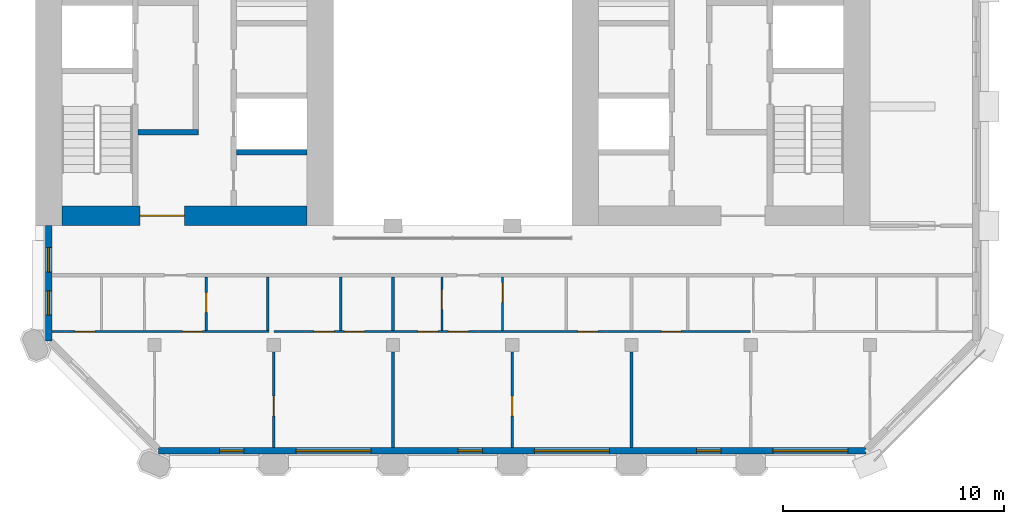
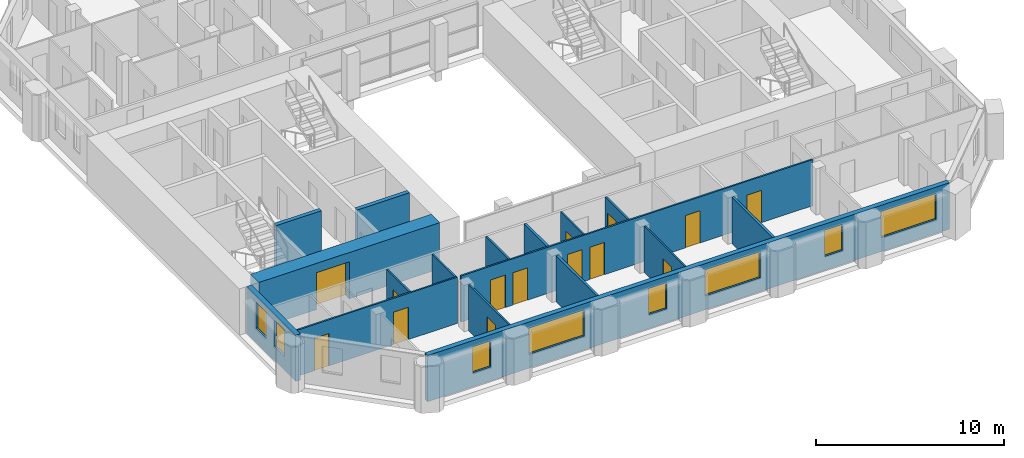
# One storey, part 4 of 13: 17 walls, 14 doors, 8 windows, 22 openings.
"""IFC4 building model written with IfcOpenShell, lengths in metres."""

from ifc_helpers import new_model, si_unit, direction, frame, frame_2d, origin, place, context, subcontext, project, spatial, rectangle, extrude, material, layer, layer_set, type_object, element, fill, save


model = new_model("IFC4")

# Units and contexts
model_context = context("Model", 3, precision=1e-05, world=origin(), true_north=direction((0.0, 1.0)))
body_context = subcontext(model_context, "Body", "Model", "MODEL_VIEW")
ifc_project = project(units=[si_unit("LENGTHUNIT", "METRE"), si_unit("AREAUNIT", "SQUARE_METRE"), si_unit("VOLUMEUNIT", "CUBIC_METRE"), si_unit("PLANEANGLEUNIT", "RADIAN"), si_unit("MASSUNIT", "GRAM", prefix="KILO")], contexts=[model_context])

# Site, building, storey
site_placement = place(None, origin())
site = spatial("IfcSite", under=ifc_project, at=site_placement, CompositionType="ELEMENT")
building_placement = place(site_placement, origin())
building = spatial("IfcBuilding", under=site, at=building_placement, Name="Tabaq Tower and Sports Hall", CompositionType="ELEMENT")
storey_placement = place(building_placement, frame((0.0, 0.0, 291.699951171875)))
storey = spatial("IfcBuildingStorey", under=building, at=storey_placement, Name="L72", CompositionType="ELEMENT", Elevation=291.699951171875)

# Wall, opening, door
ifc_material_1 = material(Name="Concrete C40/50", Category="concrete")
ifc_layer_1 = layer(ifc_material_1, 0.89990234375)
ifc_layer_set_1 = layer_set([ifc_layer_1], Name="Core wall 900 Concrete C40/50")
wall_type_1 = type_object("IfcWallType", Name="Core wall 900 Concrete C40/50", PredefinedType="SOLIDWALL", material=ifc_layer_set_1)
wall_1_placement = place(storey_placement, frame((17.699951171875, 16.64990234375, 0.0), z_axis=(0.0, 0.0, 1.0), x_axis=(-1.0, 0.0, 0.0)))
wall_1 = element("IfcWall", 1, at=wall_1_placement, inside=storey, type_object=wall_type_1, Name="Core wall W L72", PredefinedType="SOLIDWALL", context=body_context, shape_type="SweptSolid", body=[
    extrude(rectangle(XDim=11.099853515625, YDim=0.89990234375, at=frame_2d((5.5498046875, 0.0))), origin(), (0.0, 0.0, 1.0), 3.0),
])
opening_1_placement = place(wall_1_placement, frame((5.550048828125, 0.0, 0.0)))
opening_1 = element("IfcOpeningElement", 2, at=opening_1_placement, cuts=wall_1, Name="Opening PD-WL72-01", PredefinedType="OPENING", context=body_context, shape_type="SweptSolid", body=[
    extrude(rectangle(XDim=2.0, YDim=2.39990234375, at=frame_2d((1.0, 1.199951171875))), frame((0.0, 0.449951171875, 0.0), z_axis=(0.0, -1.0, 0.0), x_axis=(1.0, 0.0, 0.0)), (0.0, 0.0, 1.0), 0.89990234375),
])
ifc_material_2 = material(Name="Steel fire door", Category="steel")
door_type_1 = type_object("IfcDoorType", Name="Core entrance door 2000", OperationType="DOUBLE_DOOR_SINGLE_SWING", PredefinedType="DOOR", material=ifc_material_2)
door_1_placement = place(opening_1_placement, origin())
door_1 = element("IfcDoor", 3, at=door_1_placement, inside=storey, type_object=door_type_1, Name="Core entrance south W L72", OperationType="DOUBLE_DOOR_SINGLE_SWING", OverallHeight=2.39990234375, OverallWidth=2.0, PredefinedType="DOOR", context=body_context, shape_type="SweptSolid", body=[
    extrude(rectangle(XDim=2.0, YDim=2.39990234375, at=frame_2d((1.0, 1.199951171875))), frame((0.0, 0.02490234375, 0.0), z_axis=(0.0, -1.0, 0.0), x_axis=(1.0, 0.0, 0.0)), (0.0, 0.0, 1.0), 0.050048828125),
])
fill(opening_1, door_1)

# Wall, openings, doors
ifc_material_3 = material(Name="Gypsum board on steel studs", Category="steel")
ifc_layer_2 = layer(ifc_material_3, 0.10009765625)
ifc_layer_set_2 = layer_set([ifc_layer_2], Name="Partition 100 Gypsum board")
wall_type_2 = type_object("IfcWallType", Name="Partition 100 Gypsum board", PredefinedType="PARTITIONING", material=ifc_layer_set_2)
wall_2_placement = place(storey_placement, frame((15.97998046875, 11.39990234375, 0.0), z_axis=(0.0, 0.0, 1.0), x_axis=(-1.0, 0.0, 0.0)))
wall_2 = element("IfcWall", 4, at=wall_2_placement, inside=storey, type_object=wall_type_2, Name="Partition wall L72", PredefinedType="PARTITIONING", context=body_context, shape_type="SweptSolid", body=[
    extrude(rectangle(XDim=9.8291015625, YDim=0.10009765625, at=frame_2d((4.91455078125, 0.0))), origin(), (0.0, 0.0, 1.0), 3.0),
])
opening_2_placement = place(wall_2_placement, frame((7.8798828125, 0.0, 0.0)))
opening_2 = element("IfcOpeningElement", 5, at=opening_2_placement, cuts=wall_2, Name="Opening L72-018", PredefinedType="OPENING", context=body_context, shape_type="SweptSolid", body=[
    extrude(rectangle(XDim=0.89990234375, YDim=2.10009765625, at=frame_2d((0.449951171875, 1.050048828125))), frame((0.0, 0.050048828125, 0.0), z_axis=(0.0, -1.0, 0.0), x_axis=(1.0, 0.0, 0.0)), (0.0, 0.0, 1.0), 0.10009765625),
])
opening_3_placement = place(wall_2_placement, frame((3.010009765625, 0.0, 0.0)))
opening_3 = element("IfcOpeningElement", 6, at=opening_3_placement, cuts=wall_2, Name="Opening L72-057", PredefinedType="OPENING", context=body_context, shape_type="SweptSolid", body=[
    extrude(rectangle(XDim=0.89990234375, YDim=2.10009765625, at=frame_2d((0.449951171875, 1.050048828125))), frame((0.0, 0.050048828125, 0.0), z_axis=(0.0, -1.0, 0.0), x_axis=(1.0, 0.0, 0.0)), (0.0, 0.0, 1.0), 0.10009765625),
])
ifc_material_4 = material(Name="Timber leaf in steel frame", Category="steel")
door_type_2 = type_object("IfcDoorType", Name="Internal door 900 left hand", OperationType="SINGLE_SWING_LEFT", PredefinedType="DOOR", material=ifc_material_4)
door_2_placement = place(opening_2_placement, origin())
door_2 = element("IfcDoor", 7, at=door_2_placement, inside=storey, type_object=door_type_2, Name="Internal door L72-018", OperationType="SINGLE_SWING_LEFT", OverallHeight=2.10009765625, OverallWidth=0.89990234375, PredefinedType="DOOR", context=body_context, shape_type="SweptSolid", body=[
    extrude(rectangle(XDim=0.89990234375, YDim=2.10009765625, at=frame_2d((0.449951171875, 1.050048828125))), frame((0.0, 0.02490234375, 0.0), z_axis=(0.0, -1.0, 0.0), x_axis=(1.0, 0.0, 0.0)), (0.0, 0.0, 1.0), 0.050048828125),
])
fill(opening_2, door_2)
door_3_placement = place(opening_3_placement, origin())
door_3 = element("IfcDoor", 8, at=door_3_placement, inside=storey, type_object=door_type_2, Name="Internal door L72-057", OperationType="SINGLE_SWING_LEFT", OverallHeight=2.10009765625, OverallWidth=0.89990234375, PredefinedType="DOOR", context=body_context, shape_type="SweptSolid", body=[
    extrude(rectangle(XDim=0.89990234375, YDim=2.10009765625, at=frame_2d((0.449951171875, 1.050048828125))), frame((0.0, 0.02490234375, 0.0), z_axis=(0.0, -1.0, 0.0), x_axis=(1.0, 0.0, 0.0)), (0.0, 0.0, 1.0), 0.050048828125),
])
fill(opening_3, door_3)

# Wall, opening, door
wall_3_placement = place(storey_placement, frame((16.199951171875, 6.15087890625, 0.0), z_axis=(0.0, 0.0, 1.0), x_axis=(0.0, 1.0, 0.0)))
wall_3 = element("IfcWall", 9, at=wall_3_placement, inside=storey, type_object=wall_type_2, Name="Partition wall L72", PredefinedType="PARTITIONING", context=body_context, shape_type="SweptSolid", body=[
    extrude(rectangle(XDim=4.3291015625, YDim=0.10009765625, at=frame_2d((2.16455078125, 0.0))), origin(), (0.0, 0.0, 1.0), 3.0),
])
opening_4_placement = place(wall_3_placement, frame((1.424072265625, 0.0, 0.0)))
opening_4 = element("IfcOpeningElement", 10, at=opening_4_placement, cuts=wall_3, Name="Opening L72-056", PredefinedType="OPENING", context=body_context, shape_type="SweptSolid", body=[
    extrude(rectangle(XDim=0.89990234375, YDim=2.10009765625, at=frame_2d((0.449951171875, 1.050048828125))), frame((0.0, 0.050048828125, 0.0), z_axis=(0.0, -1.0, 0.0), x_axis=(1.0, 0.0, 0.0)), (0.0, 0.0, 1.0), 0.10009765625),
])
ifc_material_5 = material(Name="Timber leaf in steel frame", Category="steel")
door_type_3 = type_object("IfcDoorType", Name="Internal door 900 right hand", OperationType="SINGLE_SWING_RIGHT", PredefinedType="DOOR", material=ifc_material_5)
door_4_placement = place(opening_4_placement, origin())
door_4 = element("IfcDoor", 11, at=door_4_placement, inside=storey, type_object=door_type_3, Name="Internal door L72-056", OperationType="SINGLE_SWING_RIGHT", OverallHeight=2.10009765625, OverallWidth=0.89990234375, PredefinedType="DOOR", context=body_context, shape_type="SweptSolid", body=[
    extrude(rectangle(XDim=0.89990234375, YDim=2.10009765625, at=frame_2d((0.449951171875, 1.050048828125))), frame((0.0, 0.02490234375, 0.0), z_axis=(0.0, -1.0, 0.0), x_axis=(1.0, 0.0, 0.0)), (0.0, 0.0, 1.0), 0.050048828125),
])
fill(opening_4, door_4)

# Wall, openings, doors
wall_4_placement = place(storey_placement, frame((37.800048828125, 11.39990234375, 0.0), z_axis=(0.0, 0.0, 1.0), x_axis=(-1.0, 0.0, 0.0)))
wall_4 = element("IfcWall", 12, at=wall_4_placement, inside=storey, type_object=wall_type_2, Name="Partition wall L72", PredefinedType="PARTITIONING", context=body_context, shape_type="SweptSolid", body=[
    extrude(rectangle(XDim=21.60009765625, YDim=0.10009765625, at=frame_2d((10.800048828125, 0.0))), origin(), (0.0, 0.0, 1.0), 3.0),
])
opening_5_placement = place(wall_4_placement, frame((18.8701171875, 0.0, 0.0)))
opening_5 = element("IfcOpeningElement", 13, at=opening_5_placement, cuts=wall_4, Name="Opening L72-019", PredefinedType="OPENING", context=body_context, shape_type="SweptSolid", body=[
    extrude(rectangle(XDim=0.89990234375, YDim=2.10009765625, at=frame_2d((0.449951171875, 1.050048828125))), frame((0.0, 0.050048828125, 0.0), z_axis=(0.0, -1.0, 0.0), x_axis=(1.0, 0.0, 0.0)), (0.0, 0.0, 1.0), 0.10009765625),
])
opening_6_placement = place(wall_4_placement, frame((17.5, 0.0, 0.0)))
opening_6 = element("IfcOpeningElement", 14, at=opening_6_placement, cuts=wall_4, Name="Opening L72-020", PredefinedType="OPENING", context=body_context, shape_type="SweptSolid", body=[
    extrude(rectangle(XDim=0.89990234375, YDim=2.10009765625, at=frame_2d((0.449951171875, 1.050048828125))), frame((0.0, 0.050048828125, 0.0), z_axis=(0.0, -1.0, 0.0), x_axis=(1.0, 0.0, 0.0)), (0.0, 0.0, 1.0), 0.10009765625),
])
opening_7_placement = place(wall_4_placement, frame((6.916748046875, 0.0, 0.0)))
opening_7 = element("IfcOpeningElement", 15, at=opening_7_placement, cuts=wall_4, Name="Opening L72-023", PredefinedType="OPENING", context=body_context, shape_type="SweptSolid", body=[
    extrude(rectangle(XDim=0.89990234375, YDim=2.10009765625, at=frame_2d((0.449951171875, 1.050048828125))), frame((0.0, 0.050048828125, 0.0), z_axis=(0.0, -1.0, 0.0), x_axis=(1.0, 0.0, 0.0)), (0.0, 0.0, 1.0), 0.10009765625),
])
opening_8_placement = place(wall_4_placement, frame((3.14990234375, 0.0, 0.0)))
opening_8 = element("IfcOpeningElement", 16, at=opening_8_placement, cuts=wall_4, Name="Opening L72-025", PredefinedType="OPENING", context=body_context, shape_type="SweptSolid", body=[
    extrude(rectangle(XDim=0.89990234375, YDim=2.10009765625, at=frame_2d((0.449951171875, 1.050048828125))), frame((0.0, 0.050048828125, 0.0), z_axis=(0.0, -1.0, 0.0), x_axis=(1.0, 0.0, 0.0)), (0.0, 0.0, 1.0), 0.10009765625),
])
opening_9_placement = place(wall_4_placement, frame((14.157958984375, 0.0, 0.0)))
opening_9 = element("IfcOpeningElement", 17, at=opening_9_placement, cuts=wall_4, Name="Opening L72-049", PredefinedType="OPENING", context=body_context, shape_type="SweptSolid", body=[
    extrude(rectangle(XDim=0.89990234375, YDim=2.10009765625, at=frame_2d((0.449951171875, 1.050048828125))), frame((0.0, 0.050048828125, 0.0), z_axis=(0.0, -1.0, 0.0), x_axis=(1.0, 0.0, 0.0)), (0.0, 0.0, 1.0), 0.10009765625),
])
opening_10_placement = place(wall_4_placement, frame((12.7880859375, 0.0, 0.0)))
opening_10 = element("IfcOpeningElement", 18, at=opening_10_placement, cuts=wall_4, Name="Opening L72-058", PredefinedType="OPENING", context=body_context, shape_type="SweptSolid", body=[
    extrude(rectangle(XDim=0.89990234375, YDim=2.10009765625, at=frame_2d((0.449951171875, 1.050048828125))), frame((0.0, 0.050048828125, 0.0), z_axis=(0.0, -1.0, 0.0), x_axis=(1.0, 0.0, 0.0)), (0.0, 0.0, 1.0), 0.10009765625),
])
door_5_placement = place(opening_6_placement, origin())
door_5 = element("IfcDoor", 19, at=door_5_placement, inside=storey, type_object=door_type_2, Name="Internal door L72-020", OperationType="SINGLE_SWING_LEFT", OverallHeight=2.10009765625, OverallWidth=0.89990234375, PredefinedType="DOOR", context=body_context, shape_type="SweptSolid", body=[
    extrude(rectangle(XDim=0.89990234375, YDim=2.10009765625, at=frame_2d((0.449951171875, 1.050048828125))), frame((0.0, 0.02490234375, 0.0), z_axis=(0.0, -1.0, 0.0), x_axis=(1.0, 0.0, 0.0)), (0.0, 0.0, 1.0), 0.050048828125),
])
fill(opening_6, door_5)
door_6_placement = place(opening_8_placement, origin())
door_6 = element("IfcDoor", 20, at=door_6_placement, inside=storey, type_object=door_type_2, Name="Internal door L72-025", OperationType="SINGLE_SWING_LEFT", OverallHeight=2.10009765625, OverallWidth=0.89990234375, PredefinedType="DOOR", context=body_context, shape_type="SweptSolid", body=[
    extrude(rectangle(XDim=0.89990234375, YDim=2.10009765625, at=frame_2d((0.449951171875, 1.050048828125))), frame((0.0, 0.02490234375, 0.0), z_axis=(0.0, -1.0, 0.0), x_axis=(1.0, 0.0, 0.0)), (0.0, 0.0, 1.0), 0.050048828125),
])
fill(opening_8, door_6)
door_7_placement = place(opening_9_placement, origin())
door_7 = element("IfcDoor", 21, at=door_7_placement, inside=storey, type_object=door_type_2, Name="Internal door L72-049", OperationType="SINGLE_SWING_LEFT", OverallHeight=2.10009765625, OverallWidth=0.89990234375, PredefinedType="DOOR", context=body_context, shape_type="SweptSolid", body=[
    extrude(rectangle(XDim=0.89990234375, YDim=2.10009765625, at=frame_2d((0.449951171875, 1.050048828125))), frame((0.0, 0.02490234375, 0.0), z_axis=(0.0, -1.0, 0.0), x_axis=(1.0, 0.0, 0.0)), (0.0, 0.0, 1.0), 0.050048828125),
])
fill(opening_9, door_7)
door_8_placement = place(opening_5_placement, origin())
door_8 = element("IfcDoor", 22, at=door_8_placement, inside=storey, type_object=door_type_3, Name="Internal door L72-019", OperationType="SINGLE_SWING_RIGHT", OverallHeight=2.10009765625, OverallWidth=0.89990234375, PredefinedType="DOOR", context=body_context, shape_type="SweptSolid", body=[
    extrude(rectangle(XDim=0.89990234375, YDim=2.10009765625, at=frame_2d((0.449951171875, 1.050048828125))), frame((0.0, 0.02490234375, 0.0), z_axis=(0.0, -1.0, 0.0), x_axis=(1.0, 0.0, 0.0)), (0.0, 0.0, 1.0), 0.050048828125),
])
fill(opening_5, door_8)
door_9_placement = place(opening_7_placement, origin())
door_9 = element("IfcDoor", 23, at=door_9_placement, inside=storey, type_object=door_type_3, Name="Internal door L72-023", OperationType="SINGLE_SWING_RIGHT", OverallHeight=2.10009765625, OverallWidth=0.89990234375, PredefinedType="DOOR", context=body_context, shape_type="SweptSolid", body=[
    extrude(rectangle(XDim=0.89990234375, YDim=2.10009765625, at=frame_2d((0.449951171875, 1.050048828125))), frame((0.0, 0.02490234375, 0.0), z_axis=(0.0, -1.0, 0.0), x_axis=(1.0, 0.0, 0.0)), (0.0, 0.0, 1.0), 0.050048828125),
])
fill(opening_7, door_9)
door_10_placement = place(opening_10_placement, origin())
door_10 = element("IfcDoor", 24, at=door_10_placement, inside=storey, type_object=door_type_3, Name="Internal door L72-058", OperationType="SINGLE_SWING_RIGHT", OverallHeight=2.10009765625, OverallWidth=0.89990234375, PredefinedType="DOOR", context=body_context, shape_type="SweptSolid", body=[
    extrude(rectangle(XDim=0.89990234375, YDim=2.10009765625, at=frame_2d((0.449951171875, 1.050048828125))), frame((0.0, 0.02490234375, 0.0), z_axis=(0.0, -1.0, 0.0), x_axis=(1.0, 0.0, 0.0)), (0.0, 0.0, 1.0), 0.050048828125),
])
fill(opening_10, door_10)

# Wall, opening, door
wall_5_placement = place(storey_placement, frame((13.139892578125, 11.449951171875, 0.0), z_axis=(0.0, 0.0, 1.0), x_axis=(0.0, 1.0, 0.0)))
wall_5 = element("IfcWall", 25, at=wall_5_placement, inside=storey, type_object=wall_type_2, Name="Partition wall L72", PredefinedType="PARTITIONING", context=body_context, shape_type="SweptSolid", body=[
    extrude(rectangle(XDim=2.425048828125, YDim=0.10009765625, at=frame_2d((1.21240234375, 0.0))), origin(), (0.0, 0.0, 1.0), 3.0),
])
opening_11_placement = place(wall_5_placement, frame((0.819091796875, 0.0, 0.0)))
opening_11 = element("IfcOpeningElement", 26, at=opening_11_placement, cuts=wall_5, Name="Opening L72-022", PredefinedType="OPENING", context=body_context, shape_type="SweptSolid", body=[
    extrude(rectangle(XDim=0.89990234375, YDim=2.10009765625, at=frame_2d((0.449951171875, 1.050048828125))), frame((0.0, 0.050048828125, 0.0), z_axis=(0.0, -1.0, 0.0), x_axis=(1.0, 0.0, 0.0)), (0.0, 0.0, 1.0), 0.10009765625),
])
door_11_placement = place(opening_11_placement, origin())
door_11 = element("IfcDoor", 27, at=door_11_placement, inside=storey, type_object=door_type_2, Name="Internal door L72-022", OperationType="SINGLE_SWING_LEFT", OverallHeight=2.10009765625, OverallWidth=0.89990234375, PredefinedType="DOOR", context=body_context, shape_type="SweptSolid", body=[
    extrude(rectangle(XDim=0.89990234375, YDim=2.10009765625, at=frame_2d((0.449951171875, 1.050048828125))), frame((0.0, 0.02490234375, 0.0), z_axis=(0.0, -1.0, 0.0), x_axis=(1.0, 0.0, 0.0)), (0.0, 0.0, 1.0), 0.050048828125),
])
fill(opening_11, door_11)

# Walls
for number, where, z_axis, x_axis, name in (
    (28, (15.929931640625, 11.449951171875, 0.0), (0.0, 0.0, 1.0), (0.0, 1.0, 0.0), "Partition wall L72"),
    (29, (19.22998046875, 11.449951171875, 0.0), (0.0, 0.0, 1.0), (0.0, 1.0, 0.0), "Partition wall L72"),
):
    element("IfcWall", number, at=place(storey_placement, frame(where, z_axis=z_axis, x_axis=x_axis)), inside=storey, type_object=wall_type_2, Name=name, PredefinedType="PARTITIONING", context=body_context, shape_type="SweptSolid", body=[
        extrude(rectangle(XDim=2.425048828125, YDim=0.10009765625, at=frame_2d((1.21240234375, 0.0))), origin(), (0.0, 0.0, 1.0), 3.0),
    ])

# Wall, opening, door
wall_6_placement = place(storey_placement, frame((27.0, 6.15087890625, 0.0), z_axis=(0.0, 0.0, 1.0), x_axis=(0.0, 1.0, 0.0)))
wall_6 = element("IfcWall", 30, at=wall_6_placement, inside=storey, type_object=wall_type_2, Name="Partition wall L72", PredefinedType="PARTITIONING", context=body_context, shape_type="SweptSolid", body=[
    extrude(rectangle(XDim=4.3291015625, YDim=0.10009765625, at=frame_2d((2.16455078125, 0.0))), origin(), (0.0, 0.0, 1.0), 3.0),
])
opening_12_placement = place(wall_6_placement, frame((1.424072265625, 0.0, 0.0)))
opening_12 = element("IfcOpeningElement", 31, at=opening_12_placement, cuts=wall_6, Name="Opening L72-048", PredefinedType="OPENING", context=body_context, shape_type="SweptSolid", body=[
    extrude(rectangle(XDim=0.89990234375, YDim=2.10009765625, at=frame_2d((0.449951171875, 1.050048828125))), frame((0.0, 0.050048828125, 0.0), z_axis=(0.0, -1.0, 0.0), x_axis=(1.0, 0.0, 0.0)), (0.0, 0.0, 1.0), 0.10009765625),
])
door_12_placement = place(opening_12_placement, origin())
door_12 = element("IfcDoor", 32, at=door_12_placement, inside=storey, type_object=door_type_2, Name="Internal door L72-048", OperationType="SINGLE_SWING_LEFT", OverallHeight=2.10009765625, OverallWidth=0.89990234375, PredefinedType="DOOR", context=body_context, shape_type="SweptSolid", body=[
    extrude(rectangle(XDim=0.89990234375, YDim=2.10009765625, at=frame_2d((0.449951171875, 1.050048828125))), frame((0.0, 0.02490234375, 0.0), z_axis=(0.0, -1.0, 0.0), x_axis=(1.0, 0.0, 0.0)), (0.0, 0.0, 1.0), 0.050048828125),
])
fill(opening_12, door_12)

wall_7_placement = place(storey_placement, frame((23.81201171875, 11.449951171875, 0.0), z_axis=(0.0, 0.0, 1.0), x_axis=(0.0, 1.0, 0.0)))
wall_7 = element("IfcWall", 33, at=wall_7_placement, inside=storey, type_object=wall_type_2, Name="Partition wall L72", PredefinedType="PARTITIONING", context=body_context, shape_type="SweptSolid", body=[
    extrude(rectangle(XDim=2.425048828125, YDim=0.10009765625, at=frame_2d((1.21240234375, 0.0))), origin(), (0.0, 0.0, 1.0), 3.0),
])
opening_13_placement = place(wall_7_placement, frame((0.949951171875, 0.0, 0.0)))
opening_13 = element("IfcOpeningElement", 34, at=opening_13_placement, cuts=wall_7, Name="Opening L72-050", PredefinedType="OPENING", context=body_context, shape_type="SweptSolid", body=[
    extrude(rectangle(XDim=0.89990234375, YDim=2.10009765625, at=frame_2d((0.449951171875, 1.050048828125))), frame((0.0, 0.050048828125, 0.0), z_axis=(0.0, -1.0, 0.0), x_axis=(1.0, 0.0, 0.0)), (0.0, 0.0, 1.0), 0.10009765625),
])
door_13_placement = place(opening_13_placement, origin())
door_13 = element("IfcDoor", 35, at=door_13_placement, inside=storey, type_object=door_type_2, Name="Internal door L72-050", OperationType="SINGLE_SWING_LEFT", OverallHeight=2.10009765625, OverallWidth=0.89990234375, PredefinedType="DOOR", context=body_context, shape_type="SweptSolid", body=[
    extrude(rectangle(XDim=0.89990234375, YDim=2.10009765625, at=frame_2d((0.449951171875, 1.050048828125))), frame((0.0, 0.02490234375, 0.0), z_axis=(0.0, -1.0, 0.0), x_axis=(1.0, 0.0, 0.0)), (0.0, 0.0, 1.0), 0.050048828125),
])
fill(opening_13, door_13)

wall_8_placement = place(storey_placement, frame((26.56201171875, 11.449951171875, 0.0), z_axis=(0.0, 0.0, 1.0), x_axis=(0.0, 1.0, 0.0)))
wall_8 = element("IfcWall", 36, at=wall_8_placement, inside=storey, type_object=wall_type_2, Name="Partition wall L72", PredefinedType="PARTITIONING", context=body_context, shape_type="SweptSolid", body=[
    extrude(rectangle(XDim=2.425048828125, YDim=0.10009765625, at=frame_2d((1.21240234375, 0.0))), origin(), (0.0, 0.0, 1.0), 3.0),
])
opening_14_placement = place(wall_8_placement, frame((1.27490234375, 0.0, 0.0)))
opening_14 = element("IfcOpeningElement", 37, at=opening_14_placement, cuts=wall_8, Name="Opening L72-024", PredefinedType="OPENING", context=body_context, shape_type="SweptSolid", body=[
    extrude(rectangle(XDim=0.89990234375, YDim=2.10009765625, at=frame_2d((0.449951171875, 1.050048828125))), frame((0.0, 0.050048828125, 0.0), z_axis=(0.0, -1.0, 0.0), x_axis=(1.0, 0.0, 0.0)), (0.0, 0.0, 1.0), 0.10009765625),
])
door_14_placement = place(opening_14_placement, origin())
door_14 = element("IfcDoor", 38, at=door_14_placement, inside=storey, type_object=door_type_2, Name="Internal door L72-024", OperationType="SINGLE_SWING_LEFT", OverallHeight=2.10009765625, OverallWidth=0.89990234375, PredefinedType="DOOR", context=body_context, shape_type="SweptSolid", body=[
    extrude(rectangle(XDim=0.89990234375, YDim=2.10009765625, at=frame_2d((0.449951171875, 1.050048828125))), frame((0.0, 0.02490234375, 0.0), z_axis=(0.0, -1.0, 0.0), x_axis=(1.0, 0.0, 0.0)), (0.0, 0.0, 1.0), 0.050048828125),
])
fill(opening_14, door_14)

# Walls
ifc_material_6 = material(Name="Blockwork", Category="masonry")
ifc_layer_3 = layer(ifc_material_6, 0.14990234375)
ifc_layer_set_3 = layer_set([ifc_layer_3], Name="Separating wall 150 Blockwork")
wall_type_3 = type_object("IfcWallType", Name="Separating wall 150 Blockwork", PredefinedType="PARTITIONING", material=ifc_layer_set_3)
wall_9_placement = place(storey_placement, frame((21.60009765625, 6.15087890625, 0.0), z_axis=(0.0, 0.0, 1.0), x_axis=(0.0, 1.0, 0.0)))
element("IfcWall", 39, at=wall_9_placement, inside=storey, type_object=wall_type_3, Name="Separating wall L72", PredefinedType="PARTITIONING", context=body_context, shape_type="SweptSolid", body=[
    extrude(rectangle(XDim=4.3291015625, YDim=0.14990234375, at=frame_2d((2.16455078125, 0.0))), origin(), (0.0, 0.0, 1.0), 3.0),
])
wall_10_placement = place(storey_placement, frame((21.60009765625, 11.449951171875, 0.0), z_axis=(0.0, 0.0, 1.0), x_axis=(0.0, 1.0, 0.0)))
element("IfcWall", 40, at=wall_10_placement, inside=storey, type_object=wall_type_3, Name="Separating wall L72", PredefinedType="PARTITIONING", context=body_context, shape_type="SweptSolid", body=[
    extrude(rectangle(XDim=2.425048828125, YDim=0.14990234375, at=frame_2d((1.21240234375, 0.0))), origin(), (0.0, 0.0, 1.0), 3.0),
])
wall_11_placement = place(storey_placement, frame((32.39990234375, 6.15087890625, 0.0), z_axis=(0.0, 0.0, 1.0), x_axis=(0.0, 1.0, 0.0)))
element("IfcWall", 41, at=wall_11_placement, inside=storey, type_object=wall_type_3, Name="Separating wall L72", PredefinedType="PARTITIONING", context=body_context, shape_type="SweptSolid", body=[
    extrude(rectangle(XDim=4.3291015625, YDim=0.14990234375, at=frame_2d((2.16455078125, 0.0))), origin(), (0.0, 0.0, 1.0), 3.0),
])
ifc_material_7 = material(Name="Concrete C40/50", Category="concrete")
ifc_layer_4 = layer(ifc_material_7, 0.25)
ifc_layer_set_4 = layer_set([ifc_layer_4], Name="Shaft and stair wall 250 Concrete C40/50")
wall_type_4 = type_object("IfcWallType", Name="Shaft and stair wall 250 Concrete C40/50", PredefinedType="SOLIDWALL", material=ifc_layer_set_4)
wall_12_placement = place(storey_placement, frame((10.050048828125, 20.425048828125, 0.0), z_axis=(0.0, 0.0, 1.0), x_axis=(1.0, 0.0, 0.0)))
element("IfcWall", 42, at=wall_12_placement, inside=storey, type_object=wall_type_4, Name="Fire-fighting lobby wall W L72", PredefinedType="SOLIDWALL", context=body_context, shape_type="SweptSolid", body=[
    extrude(rectangle(XDim=2.75, YDim=0.25, at=frame_2d((1.375, 0.0))), origin(), (0.0, 0.0, 1.0), 3.0),
])
wall_13_placement = place(storey_placement, frame((14.5, 19.52490234375, 0.0), z_axis=(0.0, 0.0, 1.0), x_axis=(1.0, 0.0, 0.0)))
element("IfcWall", 43, at=wall_13_placement, inside=storey, type_object=wall_type_4, Name="Shaft wall W L72", PredefinedType="SOLIDWALL", context=body_context, shape_type="SweptSolid", body=[
    extrude(rectangle(XDim=3.199951171875, YDim=0.25, at=frame_2d((1.60009765625, 0.0))), origin(), (0.0, 0.0, 1.0), 3.0),
])

# Wall, openings, windows
ifc_material_8 = material(Name="White precast concrete C60/75", Category="concrete")
ifc_layer_5 = layer(ifc_material_8, 0.300048828125)
ifc_layer_set_5 = layer_set([ifc_layer_5], Name="White precast concrete C60/75 external wall 300")
wall_type_5 = type_object("IfcWallType", Name="White precast concrete C60/75 external wall 300", PredefinedType="SOLIDWALL", material=ifc_layer_set_5)
wall_14_placement = place(storey_placement, frame((10.986328125, 6.0, 0.0), z_axis=(0.0, 0.0, 1.0), x_axis=(1.0, 0.0, 0.0)))
wall_14 = element("IfcWall", 44, at=wall_14_placement, inside=storey, type_object=wall_type_5, Name="External Wall L72 S", PredefinedType="SOLIDWALL", context=body_context, shape_type="SweptSolid", body=[
    extrude(rectangle(XDim=32.02734375, YDim=0.300048828125, at=frame_2d((16.013671875, 0.0))), origin(), (0.0, 0.0, 1.0), 3.0),
])
opening_15_placement = place(wall_14_placement, frame((2.763671875, 0.0, 0.89990234375)))
opening_15 = element("IfcOpeningElement", 45, at=opening_15_placement, cuts=wall_14, Name="Opening W1B", PredefinedType="OPENING", context=body_context, shape_type="SweptSolid", body=[
    extrude(rectangle(XDim=1.10009765625, YDim=1.699951171875, at=frame_2d((0.550048828125, 0.85009765625))), frame((0.0, 0.16015625, 0.0), z_axis=(0.0, -1.0, 0.0), x_axis=(1.0, 0.0, 0.0)), (0.0, 0.0, 1.0), 0.320068359375),
])
opening_16_placement = place(wall_14_placement, frame((6.213623046875, 0.0, 0.89990234375)))
opening_16 = element("IfcOpeningElement", 46, at=opening_16_placement, cuts=wall_14, Name="Opening W1A", PredefinedType="OPENING", context=body_context, shape_type="SweptSolid", body=[
    extrude(rectangle(XDim=3.39990234375, YDim=1.699951171875, at=frame_2d((1.699951171875, 0.85009765625))), frame((0.0, 0.16015625, 0.0), z_axis=(0.0, -1.0, 0.0), x_axis=(1.0, 0.0, 0.0)), (0.0, 0.0, 1.0), 0.320068359375),
])
opening_17_placement = place(wall_14_placement, frame((13.563720703125, 0.0, 0.89990234375)))
opening_17 = element("IfcOpeningElement", 47, at=opening_17_placement, cuts=wall_14, Name="Opening W1B", PredefinedType="OPENING", context=body_context, shape_type="SweptSolid", body=[
    extrude(rectangle(XDim=1.10009765625, YDim=1.699951171875, at=frame_2d((0.550048828125, 0.85009765625))), frame((0.0, 0.16015625, 0.0), z_axis=(0.0, -1.0, 0.0), x_axis=(1.0, 0.0, 0.0)), (0.0, 0.0, 1.0), 0.320068359375),
])
opening_18_placement = place(wall_14_placement, frame((17.013671875, 0.0, 0.89990234375)))
opening_18 = element("IfcOpeningElement", 48, at=opening_18_placement, cuts=wall_14, Name="Opening W1A", PredefinedType="OPENING", context=body_context, shape_type="SweptSolid", body=[
    extrude(rectangle(XDim=3.39990234375, YDim=1.699951171875, at=frame_2d((1.699951171875, 0.85009765625))), frame((0.0, 0.16015625, 0.0), z_axis=(0.0, -1.0, 0.0), x_axis=(1.0, 0.0, 0.0)), (0.0, 0.0, 1.0), 0.320068359375),
])
opening_19_placement = place(wall_14_placement, frame((24.363525390625, 0.0, 0.89990234375)))
opening_19 = element("IfcOpeningElement", 49, at=opening_19_placement, cuts=wall_14, Name="Opening W1B", PredefinedType="OPENING", context=body_context, shape_type="SweptSolid", body=[
    extrude(rectangle(XDim=1.10009765625, YDim=1.699951171875, at=frame_2d((0.550048828125, 0.85009765625))), frame((0.0, 0.16015625, 0.0), z_axis=(0.0, -1.0, 0.0), x_axis=(1.0, 0.0, 0.0)), (0.0, 0.0, 1.0), 0.320068359375),
])
opening_20_placement = place(wall_14_placement, frame((27.813720703125, 0.0, 0.89990234375)))
opening_20 = element("IfcOpeningElement", 50, at=opening_20_placement, cuts=wall_14, Name="Opening W1A", PredefinedType="OPENING", context=body_context, shape_type="SweptSolid", body=[
    extrude(rectangle(XDim=3.39990234375, YDim=1.699951171875, at=frame_2d((1.699951171875, 0.85009765625))), frame((0.0, 0.16015625, 0.0), z_axis=(0.0, -1.0, 0.0), x_axis=(1.0, 0.0, 0.0)), (0.0, 0.0, 1.0), 0.320068359375),
])
ifc_material_9 = material(Name="Aluminium framed clear glazing", Category="aluminium")
window_type_1 = type_object("IfcWindowType", Name="Window W1A", PartitioningType="SINGLE_PANEL", PredefinedType="WINDOW", material=ifc_material_9)
window_1_placement = place(opening_16_placement, origin())
window_1 = element("IfcWindow", 51, at=window_1_placement, inside=storey, type_object=window_type_1, Name="Window W1A L72", OverallHeight=1.699951171875, OverallWidth=3.39990234375, PartitioningType="SINGLE_PANEL", PredefinedType="WINDOW", context=body_context, shape_type="SweptSolid", body=[
    extrude(rectangle(XDim=3.39990234375, YDim=1.699951171875, at=frame_2d((1.699951171875, 0.85009765625))), frame((0.0, 0.030029296875, 0.0), z_axis=(0.0, -1.0, 0.0), x_axis=(1.0, 0.0, 0.0)), (0.0, 0.0, 1.0), 0.06005859375),
])
fill(opening_16, window_1)
window_2_placement = place(opening_18_placement, origin())
window_2 = element("IfcWindow", 52, at=window_2_placement, inside=storey, type_object=window_type_1, Name="Window W1A L72", OverallHeight=1.699951171875, OverallWidth=3.39990234375, PartitioningType="SINGLE_PANEL", PredefinedType="WINDOW", context=body_context, shape_type="SweptSolid", body=[
    extrude(rectangle(XDim=3.39990234375, YDim=1.699951171875, at=frame_2d((1.699951171875, 0.85009765625))), frame((0.0, 0.030029296875, 0.0), z_axis=(0.0, -1.0, 0.0), x_axis=(1.0, 0.0, 0.0)), (0.0, 0.0, 1.0), 0.06005859375),
])
fill(opening_18, window_2)
window_3_placement = place(opening_20_placement, origin())
window_3 = element("IfcWindow", 53, at=window_3_placement, inside=storey, type_object=window_type_1, Name="Window W1A L72", OverallHeight=1.699951171875, OverallWidth=3.39990234375, PartitioningType="SINGLE_PANEL", PredefinedType="WINDOW", context=body_context, shape_type="SweptSolid", body=[
    extrude(rectangle(XDim=3.39990234375, YDim=1.699951171875, at=frame_2d((1.699951171875, 0.85009765625))), frame((0.0, 0.030029296875, 0.0), z_axis=(0.0, -1.0, 0.0), x_axis=(1.0, 0.0, 0.0)), (0.0, 0.0, 1.0), 0.06005859375),
])
fill(opening_20, window_3)
ifc_material_10 = material(Name="Aluminium framed clear glazing", Category="aluminium")
window_type_2 = type_object("IfcWindowType", Name="Window W1B", PartitioningType="SINGLE_PANEL", PredefinedType="WINDOW", material=ifc_material_10)
window_4_placement = place(opening_15_placement, origin())
window_4 = element("IfcWindow", 54, at=window_4_placement, inside=storey, type_object=window_type_2, Name="Window W1B L72", OverallHeight=1.699951171875, OverallWidth=1.10009765625, PartitioningType="SINGLE_PANEL", PredefinedType="WINDOW", context=body_context, shape_type="SweptSolid", body=[
    extrude(rectangle(XDim=1.10009765625, YDim=1.699951171875, at=frame_2d((0.550048828125, 0.85009765625))), frame((0.0, 0.030029296875, 0.0), z_axis=(0.0, -1.0, 0.0), x_axis=(1.0, 0.0, 0.0)), (0.0, 0.0, 1.0), 0.06005859375),
])
fill(opening_15, window_4)
window_5_placement = place(opening_17_placement, origin())
window_5 = element("IfcWindow", 55, at=window_5_placement, inside=storey, type_object=window_type_2, Name="Window W1B L72", OverallHeight=1.699951171875, OverallWidth=1.10009765625, PartitioningType="SINGLE_PANEL", PredefinedType="WINDOW", context=body_context, shape_type="SweptSolid", body=[
    extrude(rectangle(XDim=1.10009765625, YDim=1.699951171875, at=frame_2d((0.550048828125, 0.85009765625))), frame((0.0, 0.030029296875, 0.0), z_axis=(0.0, -1.0, 0.0), x_axis=(1.0, 0.0, 0.0)), (0.0, 0.0, 1.0), 0.06005859375),
])
fill(opening_17, window_5)
window_6_placement = place(opening_19_placement, origin())
window_6 = element("IfcWindow", 56, at=window_6_placement, inside=storey, type_object=window_type_2, Name="Window W1B L72", OverallHeight=1.699951171875, OverallWidth=1.10009765625, PartitioningType="SINGLE_PANEL", PredefinedType="WINDOW", context=body_context, shape_type="SweptSolid", body=[
    extrude(rectangle(XDim=1.10009765625, YDim=1.699951171875, at=frame_2d((0.550048828125, 0.85009765625))), frame((0.0, 0.030029296875, 0.0), z_axis=(0.0, -1.0, 0.0), x_axis=(1.0, 0.0, 0.0)), (0.0, 0.0, 1.0), 0.06005859375),
])
fill(opening_19, window_6)

wall_15_placement = place(storey_placement, frame((6.0, 16.199951171875, 0.0), z_axis=(0.0, 0.0, 1.0), x_axis=(0.0, -1.0, 0.0)))
wall_15 = element("IfcWall", 57, at=wall_15_placement, inside=storey, type_object=wall_type_5, Name="External Wall L72 W", PredefinedType="SOLIDWALL", context=body_context, shape_type="SweptSolid", body=[
    extrude(rectangle(XDim=5.213623046875, YDim=0.300048828125, at=frame_2d((2.60693359375, 0.0))), origin(), (0.0, 0.0, 1.0), 3.0),
])
opening_21_placement = place(wall_15_placement, frame((1.0, 0.0, 0.89990234375)))
opening_21 = element("IfcOpeningElement", 58, at=opening_21_placement, cuts=wall_15, Name="Opening W1B", PredefinedType="OPENING", context=body_context, shape_type="SweptSolid", body=[
    extrude(rectangle(XDim=1.10009765625, YDim=1.699951171875, at=frame_2d((0.550048828125, 0.85009765625))), frame((0.0, 0.16015625, 0.0), z_axis=(0.0, -1.0, 0.0), x_axis=(1.0, 0.0, 0.0)), (0.0, 0.0, 1.0), 0.320068359375),
])
opening_22_placement = place(wall_15_placement, frame((2.949951171875, 0.0, 0.89990234375)))
opening_22 = element("IfcOpeningElement", 59, at=opening_22_placement, cuts=wall_15, Name="Opening W1B", PredefinedType="OPENING", context=body_context, shape_type="SweptSolid", body=[
    extrude(rectangle(XDim=1.10009765625, YDim=1.699951171875, at=frame_2d((0.550048828125, 0.85009765625))), frame((0.0, 0.16015625, 0.0), z_axis=(0.0, -1.0, 0.0), x_axis=(1.0, 0.0, 0.0)), (0.0, 0.0, 1.0), 0.320068359375),
])
window_7_placement = place(opening_21_placement, origin())
window_7 = element("IfcWindow", 60, at=window_7_placement, inside=storey, type_object=window_type_2, Name="Window W1B L72", OverallHeight=1.699951171875, OverallWidth=1.10009765625, PartitioningType="SINGLE_PANEL", PredefinedType="WINDOW", context=body_context, shape_type="SweptSolid", body=[
    extrude(rectangle(XDim=1.10009765625, YDim=1.699951171875, at=frame_2d((0.550048828125, 0.85009765625))), frame((0.0, 0.030029296875, 0.0), z_axis=(0.0, -1.0, 0.0), x_axis=(1.0, 0.0, 0.0)), (0.0, 0.0, 1.0), 0.06005859375),
])
fill(opening_21, window_7)
window_8_placement = place(opening_22_placement, origin())
window_8 = element("IfcWindow", 61, at=window_8_placement, inside=storey, type_object=window_type_2, Name="Window W1B L72", OverallHeight=1.699951171875, OverallWidth=1.10009765625, PartitioningType="SINGLE_PANEL", PredefinedType="WINDOW", context=body_context, shape_type="SweptSolid", body=[
    extrude(rectangle(XDim=1.10009765625, YDim=1.699951171875, at=frame_2d((0.550048828125, 0.85009765625))), frame((0.0, 0.030029296875, 0.0), z_axis=(0.0, -1.0, 0.0), x_axis=(1.0, 0.0, 0.0)), (0.0, 0.0, 1.0), 0.06005859375),
])
fill(opening_22, window_8)

save(model, "model.ifc")
